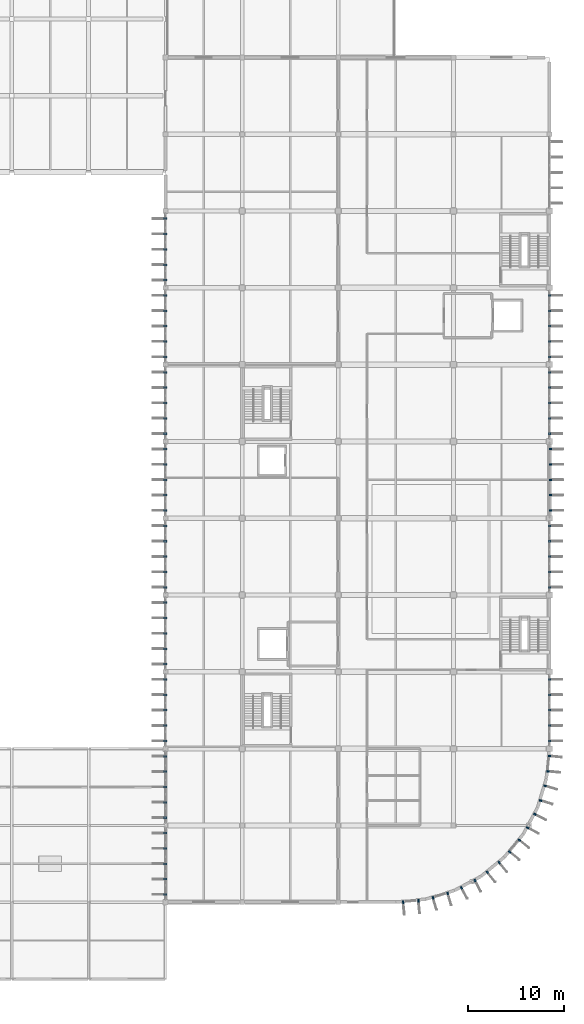
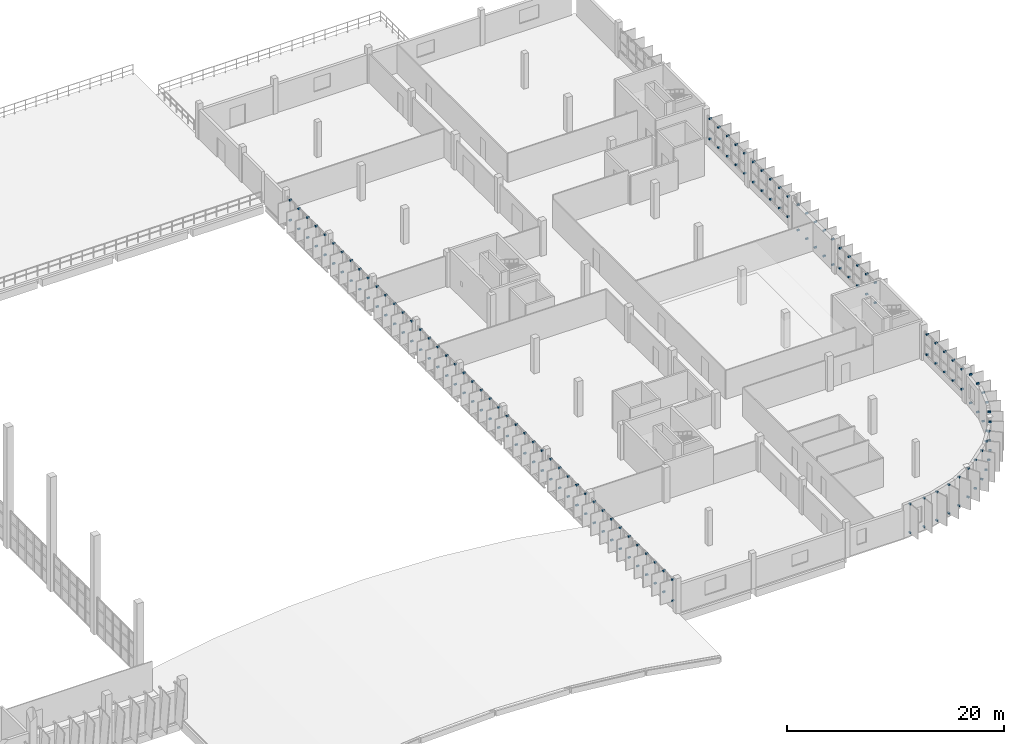
# One storey, part 59 of 66: 172 discrete accessories.
"""IFC4 building model written with IfcOpenShell, lengths in metres."""

from ifc_helpers import new_model, si_unit, direction, frame, origin, origin_2d, place, context, subcontext, project, spatial, rectangle, extrude, material, type_object, element, save


model = new_model("IFC4")

# Units and contexts
model_context = context("Model", 3, precision=1e-05, world=origin(), true_north=direction((0.0, 1.0)))
body_context = subcontext(model_context, "Body", "Model", "MODEL_VIEW")
ifc_project = project(units=[si_unit("LENGTHUNIT", "METRE"), si_unit("AREAUNIT", "SQUARE_METRE"), si_unit("VOLUMEUNIT", "CUBIC_METRE"), si_unit("PLANEANGLEUNIT", "RADIAN"), si_unit("MASSUNIT", "GRAM", prefix="KILO")], contexts=[model_context])

# Site, building, storey
site_placement = place(None, origin())
site = spatial("IfcSite", under=ifc_project, at=site_placement, CompositionType="ELEMENT")
building_placement = place(site_placement, origin())
building = spatial("IfcBuilding", under=site, at=building_placement, Name="Drelvana Railside Aquatics Centre", CompositionType="ELEMENT")
storey_placement = place(building_placement, frame((0.0, 0.0, 10.199951171875)))
storey = spatial("IfcBuildingStorey", under=building, at=storey_placement, Name="L02", CompositionType="ELEMENT", Elevation=10.199951171875)

# Discrete accessories
ifc_material = material(Name="Stainless steel 316 facade bracket", Category="steel")
discrete_accessory_type = type_object("IfcDiscreteAccessoryType", Name="ACC-BRACKET-FIN", PredefinedType="BRACKET", material=ifc_material)
for number, where, z_axis, x_axis, name in (
    (1, (143.989990234375, 8.800048828125, 0.76513671875), (0.0, 0.0, 1.0), (-1.0, 0.0, 0.0), "Shading fin bracket BK-1085"),
    (2, (143.989990234375, 8.800048828125, 3.125), (0.0, 0.0, 1.0), (-1.0, 0.0, 0.0), "Shading fin bracket BK-1086"),
    (3, (143.989990234375, 10.39990234375, 0.76513671875), (0.0, 0.0, 1.0), (-1.0, 0.0, 0.0), "Shading fin bracket BK-1087"),
    (4, (143.989990234375, 10.39990234375, 3.125), (0.0, 0.0, 1.0), (-1.0, 0.0, 0.0), "Shading fin bracket BK-1088"),
    (5, (143.989990234375, 12.0, 0.76513671875), (0.0, 0.0, 1.0), (-1.0, 0.0, 0.0), "Shading fin bracket BK-1089"),
    (6, (143.989990234375, 12.0, 3.125), (0.0, 0.0, 1.0), (-1.0, 0.0, 0.0), "Shading fin bracket BK-1090"),
    (7, (143.989990234375, 13.60009765625, 0.76513671875), (0.0, 0.0, 1.0), (-1.0, 0.0, 0.0), "Shading fin bracket BK-1091"),
    (8, (143.989990234375, 13.60009765625, 3.125), (0.0, 0.0, 1.0), (-1.0, 0.0, 0.0), "Shading fin bracket BK-1092"),
    (9, (143.989990234375, 15.199951171875, 0.76513671875), (0.0, 0.0, 1.0), (-1.0, 0.0, 0.0), "Shading fin bracket BK-1093"),
    (10, (143.989990234375, 15.199951171875, 3.125), (0.0, 0.0, 1.0), (-1.0, 0.0, 0.0), "Shading fin bracket BK-1094"),
    (11, (143.989990234375, 16.800048828125, 0.76513671875), (0.0, 0.0, 1.0), (-1.0, 0.0, 0.0), "Shading fin bracket BK-1095"),
    (12, (143.989990234375, 16.800048828125, 3.125), (0.0, 0.0, 1.0), (-1.0, 0.0, 0.0), "Shading fin bracket BK-1096"),
    (13, (143.989990234375, 18.39990234375, 0.76513671875), (0.0, 0.0, 1.0), (-1.0, 0.0, 0.0), "Shading fin bracket BK-1097"),
    (14, (143.989990234375, 18.39990234375, 3.125), (0.0, 0.0, 1.0), (-1.0, 0.0, 0.0), "Shading fin bracket BK-1098"),
    (15, (143.989990234375, 20.0, 0.76513671875), (0.0, 0.0, 1.0), (-1.0, 0.0, 0.0), "Shading fin bracket BK-1099"),
    (16, (143.989990234375, 20.0, 3.125), (0.0, 0.0, 1.0), (-1.0, 0.0, 0.0), "Shading fin bracket BK-1100"),
    (17, (143.989990234375, 21.60009765625, 0.76513671875), (0.0, 0.0, 1.0), (-1.0, 0.0, 0.0), "Shading fin bracket BK-1101"),
    (18, (143.989990234375, 21.60009765625, 3.125), (0.0, 0.0, 1.0), (-1.0, 0.0, 0.0), "Shading fin bracket BK-1102"),
    (19, (143.989990234375, 23.199951171875, 0.76513671875), (0.0, 0.0, 1.0), (-1.0, 0.0, 0.0), "Shading fin bracket BK-1103"),
    (20, (143.989990234375, 23.199951171875, 3.125), (0.0, 0.0, 1.0), (-1.0, 0.0, 0.0), "Shading fin bracket BK-1104"),
    (21, (143.989990234375, 24.800048828125, 0.81494140625), (0.0, 0.0, 1.0), (-1.0, 0.0, 0.0), "Shading fin bracket BK-1115"),
    (22, (143.989990234375, 24.800048828125, 3.0751953125), (0.0, 0.0, 1.0), (-1.0, 0.0, 0.0), "Shading fin bracket BK-1116"),
    (23, (143.989990234375, 26.39990234375, 0.81494140625), (0.0, 0.0, 1.0), (-1.0, 0.0, 0.0), "Shading fin bracket BK-1117"),
    (24, (143.989990234375, 26.39990234375, 3.0751953125), (0.0, 0.0, 1.0), (-1.0, 0.0, 0.0), "Shading fin bracket BK-1118"),
    (25, (143.989990234375, 28.0, 0.81494140625), (0.0, 0.0, 1.0), (-1.0, 0.0, 0.0), "Shading fin bracket BK-1119"),
    (26, (143.989990234375, 28.0, 3.0751953125), (0.0, 0.0, 1.0), (-1.0, 0.0, 0.0), "Shading fin bracket BK-1120"),
    (27, (143.989990234375, 29.60009765625, 0.81494140625), (0.0, 0.0, 1.0), (-1.0, 0.0, 0.0), "Shading fin bracket BK-1121"),
    (28, (143.989990234375, 29.60009765625, 3.0751953125), (0.0, 0.0, 1.0), (-1.0, 0.0, 0.0), "Shading fin bracket BK-1122"),
    (29, (143.989990234375, 31.199951171875, 0.81494140625), (0.0, 0.0, 1.0), (-1.0, 0.0, 0.0), "Shading fin bracket BK-1123"),
    (30, (143.989990234375, 31.199951171875, 3.0751953125), (0.0, 0.0, 1.0), (-1.0, 0.0, 0.0), "Shading fin bracket BK-1124"),
    (31, (143.989990234375, 32.800048828125, 0.81494140625), (0.0, 0.0, 1.0), (-1.0, 0.0, 0.0), "Shading fin bracket BK-1155"),
    (32, (143.989990234375, 32.800048828125, 3.0751953125), (0.0, 0.0, 1.0), (-1.0, 0.0, 0.0), "Shading fin bracket BK-1156"),
    (33, (143.989990234375, 34.39990234375, 0.81494140625), (0.0, 0.0, 1.0), (-1.0, 0.0, 0.0), "Shading fin bracket BK-1157"),
    (34, (143.989990234375, 34.39990234375, 3.0751953125), (0.0, 0.0, 1.0), (-1.0, 0.0, 0.0), "Shading fin bracket BK-1158"),
    (35, (143.989990234375, 36.0, 0.81494140625), (0.0, 0.0, 1.0), (-1.0, 0.0, 0.0), "Shading fin bracket BK-1159"),
    (36, (143.989990234375, 36.0, 3.0751953125), (0.0, 0.0, 1.0), (-1.0, 0.0, 0.0), "Shading fin bracket BK-1160"),
    (37, (143.989990234375, 37.60009765625, 0.81494140625), (0.0, 0.0, 1.0), (-1.0, 0.0, 0.0), "Shading fin bracket BK-1161"),
    (38, (143.989990234375, 37.60009765625, 3.0751953125), (0.0, 0.0, 1.0), (-1.0, 0.0, 0.0), "Shading fin bracket BK-1162"),
    (39, (143.989990234375, 39.199951171875, 0.81494140625), (0.0, 0.0, 1.0), (-1.0, 0.0, 0.0), "Shading fin bracket BK-1163"),
    (40, (143.989990234375, 39.199951171875, 3.0751953125), (0.0, 0.0, 1.0), (-1.0, 0.0, 0.0), "Shading fin bracket BK-1164"),
    (41, (143.989990234375, 40.800048828125, 0.81494140625), (0.0, 0.0, 1.0), (-1.0, 0.0, 0.0), "Shading fin bracket BK-1195"),
    (42, (143.989990234375, 40.800048828125, 3.0751953125), (0.0, 0.0, 1.0), (-1.0, 0.0, 0.0), "Shading fin bracket BK-1196"),
    (43, (143.989990234375, 42.39990234375, 0.81494140625), (0.0, 0.0, 1.0), (-1.0, 0.0, 0.0), "Shading fin bracket BK-1197"),
    (44, (143.989990234375, 42.39990234375, 3.0751953125), (0.0, 0.0, 1.0), (-1.0, 0.0, 0.0), "Shading fin bracket BK-1198"),
    (45, (143.989990234375, 44.0, 0.81494140625), (0.0, 0.0, 1.0), (-1.0, 0.0, 0.0), "Shading fin bracket BK-1199"),
    (46, (143.989990234375, 44.0, 3.0751953125), (0.0, 0.0, 1.0), (-1.0, 0.0, 0.0), "Shading fin bracket BK-1200"),
    (47, (143.989990234375, 45.60009765625, 0.81494140625), (0.0, 0.0, 1.0), (-1.0, 0.0, 0.0), "Shading fin bracket BK-1201"),
    (48, (143.989990234375, 45.60009765625, 3.0751953125), (0.0, 0.0, 1.0), (-1.0, 0.0, 0.0), "Shading fin bracket BK-1202"),
    (49, (143.989990234375, 47.199951171875, 0.81494140625), (0.0, 0.0, 1.0), (-1.0, 0.0, 0.0), "Shading fin bracket BK-1203"),
    (50, (143.989990234375, 47.199951171875, 3.0751953125), (0.0, 0.0, 1.0), (-1.0, 0.0, 0.0), "Shading fin bracket BK-1204"),
    (51, (143.989990234375, 48.800048828125, 0.81494140625), (0.0, 0.0, 1.0), (-1.0, 0.0, 0.0), "Shading fin bracket BK-1235"),
    (52, (143.989990234375, 48.800048828125, 3.0751953125), (0.0, 0.0, 1.0), (-1.0, 0.0, 0.0), "Shading fin bracket BK-1236"),
    (53, (143.989990234375, 50.39990234375, 0.81494140625), (0.0, 0.0, 1.0), (-1.0, 0.0, 0.0), "Shading fin bracket BK-1237"),
    (54, (143.989990234375, 50.39990234375, 3.0751953125), (0.0, 0.0, 1.0), (-1.0, 0.0, 0.0), "Shading fin bracket BK-1238"),
    (55, (143.989990234375, 52.0, 0.81494140625), (0.0, 0.0, 1.0), (-1.0, 0.0, 0.0), "Shading fin bracket BK-1239"),
    (56, (143.989990234375, 52.0, 3.0751953125), (0.0, 0.0, 1.0), (-1.0, 0.0, 0.0), "Shading fin bracket BK-1240"),
    (57, (143.989990234375, 53.60009765625, 0.81494140625), (0.0, 0.0, 1.0), (-1.0, 0.0, 0.0), "Shading fin bracket BK-1241"),
    (58, (143.989990234375, 53.60009765625, 3.0751953125), (0.0, 0.0, 1.0), (-1.0, 0.0, 0.0), "Shading fin bracket BK-1242"),
    (59, (143.989990234375, 55.199951171875, 0.81494140625), (0.0, 0.0, 1.0), (-1.0, 0.0, 0.0), "Shading fin bracket BK-1243"),
    (60, (143.989990234375, 55.199951171875, 3.0751953125), (0.0, 0.0, 1.0), (-1.0, 0.0, 0.0), "Shading fin bracket BK-1244"),
    (61, (143.989990234375, 56.800048828125, 0.81494140625), (0.0, 0.0, 1.0), (-1.0, 0.0, 0.0), "Shading fin bracket BK-1265"),
    (62, (143.989990234375, 56.800048828125, 3.0751953125), (0.0, 0.0, 1.0), (-1.0, 0.0, 0.0), "Shading fin bracket BK-1266"),
    (63, (143.989990234375, 58.39990234375, 0.81494140625), (0.0, 0.0, 1.0), (-1.0, 0.0, 0.0), "Shading fin bracket BK-1267"),
    (64, (143.989990234375, 58.39990234375, 3.0751953125), (0.0, 0.0, 1.0), (-1.0, 0.0, 0.0), "Shading fin bracket BK-1268"),
    (65, (143.989990234375, 60.0, 0.81494140625), (0.0, 0.0, 1.0), (-1.0, 0.0, 0.0), "Shading fin bracket BK-1269"),
    (66, (143.989990234375, 60.0, 3.0751953125), (0.0, 0.0, 1.0), (-1.0, 0.0, 0.0), "Shading fin bracket BK-1270"),
    (67, (143.989990234375, 61.60009765625, 0.81494140625), (0.0, 0.0, 1.0), (-1.0, 0.0, 0.0), "Shading fin bracket BK-1271"),
    (68, (143.989990234375, 61.60009765625, 3.0751953125), (0.0, 0.0, 1.0), (-1.0, 0.0, 0.0), "Shading fin bracket BK-1272"),
    (69, (143.989990234375, 63.199951171875, 0.81494140625), (0.0, 0.0, 1.0), (-1.0, 0.0, 0.0), "Shading fin bracket BK-1273"),
    (70, (143.989990234375, 63.199951171875, 3.0751953125), (0.0, 0.0, 1.0), (-1.0, 0.0, 0.0), "Shading fin bracket BK-1274"),
    (71, (143.989990234375, 64.800048828125, 0.81494140625), (0.0, 0.0, 1.0), (-1.0, 0.0, 0.0), "Shading fin bracket BK-1305"),
    (72, (143.989990234375, 64.800048828125, 3.0751953125), (0.0, 0.0, 1.0), (-1.0, 0.0, 0.0), "Shading fin bracket BK-1306"),
    (73, (143.989990234375, 66.39990234375, 0.81494140625), (0.0, 0.0, 1.0), (-1.0, 0.0, 0.0), "Shading fin bracket BK-1307"),
    (74, (143.989990234375, 66.39990234375, 3.0751953125), (0.0, 0.0, 1.0), (-1.0, 0.0, 0.0), "Shading fin bracket BK-1308"),
    (75, (143.989990234375, 68.0, 0.81494140625), (0.0, 0.0, 1.0), (-1.0, 0.0, 0.0), "Shading fin bracket BK-1309"),
    (76, (143.989990234375, 68.0, 3.0751953125), (0.0, 0.0, 1.0), (-1.0, 0.0, 0.0), "Shading fin bracket BK-1310"),
    (77, (143.989990234375, 69.60009765625, 0.81494140625), (0.0, 0.0, 1.0), (-1.0, 0.0, 0.0), "Shading fin bracket BK-1311"),
    (78, (143.989990234375, 69.60009765625, 3.0751953125), (0.0, 0.0, 1.0), (-1.0, 0.0, 0.0), "Shading fin bracket BK-1312"),
    (79, (143.989990234375, 71.199951171875, 0.81494140625), (0.0, 0.0, 1.0), (-1.0, 0.0, 0.0), "Shading fin bracket BK-1313"),
    (80, (143.989990234375, 71.199951171875, 3.0751953125), (0.0, 0.0, 1.0), (-1.0, 0.0, 0.0), "Shading fin bracket BK-1314"),
    (81, (143.989990234375, 72.800048828125, 0.81494140625), (0.0, 0.0, 1.0), (-1.0, 0.0, 0.0), "Shading fin bracket BK-1345"),
    (82, (143.989990234375, 72.800048828125, 3.0751953125), (0.0, 0.0, 1.0), (-1.0, 0.0, 0.0), "Shading fin bracket BK-1346"),
    (83, (143.989990234375, 74.39990234375, 0.81494140625), (0.0, 0.0, 1.0), (-1.0, 0.0, 0.0), "Shading fin bracket BK-1347"),
    (84, (143.989990234375, 74.39990234375, 3.0751953125), (0.0, 0.0, 1.0), (-1.0, 0.0, 0.0), "Shading fin bracket BK-1348"),
    (85, (143.989990234375, 76.0, 0.81494140625), (0.0, 0.0, 1.0), (-1.0, 0.0, 0.0), "Shading fin bracket BK-1349"),
    (86, (143.989990234375, 76.0, 3.0751953125), (0.0, 0.0, 1.0), (-1.0, 0.0, 0.0), "Shading fin bracket BK-1350"),
    (87, (143.989990234375, 77.60009765625, 0.81494140625), (0.0, 0.0, 1.0), (-1.0, 0.0, 0.0), "Shading fin bracket BK-1351"),
    (88, (143.989990234375, 77.60009765625, 3.0751953125), (0.0, 0.0, 1.0), (-1.0, 0.0, 0.0), "Shading fin bracket BK-1352"),
    (89, (143.989990234375, 79.199951171875, 0.81494140625), (0.0, 0.0, 1.0), (-1.0, 0.0, 0.0), "Shading fin bracket BK-1353"),
    (90, (143.989990234375, 79.199951171875, 3.0751953125), (0.0, 0.0, 1.0), (-1.0, 0.0, 0.0), "Shading fin bracket BK-1354"),
    (91, (184.010009765625, 24.800048828125, 0.81494140625), (0.0, 0.0, 1.0), (1.0, 0.0, 0.0), "Shading fin bracket BK-1385"),
    (92, (184.010009765625, 24.800048828125, 3.0751953125), (0.0, 0.0, 1.0), (1.0, 0.0, 0.0), "Shading fin bracket BK-1386"),
    (93, (184.010009765625, 26.39990234375, 0.81494140625), (0.0, 0.0, 1.0), (1.0, 0.0, 0.0), "Shading fin bracket BK-1387"),
    (94, (184.010009765625, 26.39990234375, 3.0751953125), (0.0, 0.0, 1.0), (1.0, 0.0, 0.0), "Shading fin bracket BK-1388"),
    (95, (184.010009765625, 28.0, 0.81494140625), (0.0, 0.0, 1.0), (1.0, 0.0, 0.0), "Shading fin bracket BK-1389"),
    (96, (184.010009765625, 28.0, 3.0751953125), (0.0, 0.0, 1.0), (1.0, 0.0, 0.0), "Shading fin bracket BK-1390"),
    (97, (184.010009765625, 29.60009765625, 0.81494140625), (0.0, 0.0, 1.0), (1.0, 0.0, 0.0), "Shading fin bracket BK-1391"),
    (98, (184.010009765625, 29.60009765625, 3.0751953125), (0.0, 0.0, 1.0), (1.0, 0.0, 0.0), "Shading fin bracket BK-1392"),
    (99, (184.010009765625, 31.199951171875, 0.81494140625), (0.0, 0.0, 1.0), (1.0, 0.0, 0.0), "Shading fin bracket BK-1393"),
    (100, (184.010009765625, 31.199951171875, 3.0751953125), (0.0, 0.0, 1.0), (1.0, 0.0, 0.0), "Shading fin bracket BK-1394"),
    (101, (184.010009765625, 40.800048828125, 0.81494140625), (0.0, 0.0, 1.0), (1.0, 0.0, 0.0), "Shading fin bracket BK-1435"),
    (102, (184.010009765625, 40.800048828125, 3.0751953125), (0.0, 0.0, 1.0), (1.0, 0.0, 0.0), "Shading fin bracket BK-1436"),
    (103, (184.010009765625, 42.39990234375, 0.81494140625), (0.0, 0.0, 1.0), (1.0, 0.0, 0.0), "Shading fin bracket BK-1437"),
    (104, (184.010009765625, 42.39990234375, 3.0751953125), (0.0, 0.0, 1.0), (1.0, 0.0, 0.0), "Shading fin bracket BK-1438"),
    (105, (184.010009765625, 44.0, 0.81494140625), (0.0, 0.0, 1.0), (1.0, 0.0, 0.0), "Shading fin bracket BK-1439"),
    (106, (184.010009765625, 44.0, 3.0751953125), (0.0, 0.0, 1.0), (1.0, 0.0, 0.0), "Shading fin bracket BK-1440"),
    (107, (184.010009765625, 45.60009765625, 0.81494140625), (0.0, 0.0, 1.0), (1.0, 0.0, 0.0), "Shading fin bracket BK-1441"),
    (108, (184.010009765625, 45.60009765625, 3.0751953125), (0.0, 0.0, 1.0), (1.0, 0.0, 0.0), "Shading fin bracket BK-1442"),
    (109, (184.010009765625, 47.199951171875, 0.81494140625), (0.0, 0.0, 1.0), (1.0, 0.0, 0.0), "Shading fin bracket BK-1443"),
    (110, (184.010009765625, 47.199951171875, 3.0751953125), (0.0, 0.0, 1.0), (1.0, 0.0, 0.0), "Shading fin bracket BK-1444"),
    (111, (184.114990234375, 48.800048828125, 0.21533203125), (0.0, 0.0, 1.0), (1.0, 0.0, 0.0), "Shading fin bracket BK-1485"),
    (112, (184.114990234375, 48.800048828125, 3.0751953125), (0.0, 0.0, 1.0), (1.0, 0.0, 0.0), "Shading fin bracket BK-1486"),
    (113, (184.114990234375, 50.39990234375, 0.21533203125), (0.0, 0.0, 1.0), (1.0, 0.0, 0.0), "Shading fin bracket BK-1487"),
    (114, (184.114990234375, 50.39990234375, 3.0751953125), (0.0, 0.0, 1.0), (1.0, 0.0, 0.0), "Shading fin bracket BK-1488"),
    (115, (184.114990234375, 52.0, 0.21533203125), (0.0, 0.0, 1.0), (1.0, 0.0, 0.0), "Shading fin bracket BK-1489"),
    (116, (184.114990234375, 52.0, 3.0751953125), (0.0, 0.0, 1.0), (1.0, 0.0, 0.0), "Shading fin bracket BK-1490"),
    (117, (184.114990234375, 53.60009765625, 0.21533203125), (0.0, 0.0, 1.0), (1.0, 0.0, 0.0), "Shading fin bracket BK-1491"),
    (118, (184.114990234375, 53.60009765625, 3.0751953125), (0.0, 0.0, 1.0), (1.0, 0.0, 0.0), "Shading fin bracket BK-1492"),
    (119, (184.114990234375, 55.199951171875, 0.21533203125), (0.0, 0.0, 1.0), (1.0, 0.0, 0.0), "Shading fin bracket BK-1493"),
    (120, (184.114990234375, 55.199951171875, 3.0751953125), (0.0, 0.0, 1.0), (1.0, 0.0, 0.0), "Shading fin bracket BK-1494"),
    (121, (184.010009765625, 56.800048828125, 0.81494140625), (0.0, 0.0, 1.0), (1.0, 0.0, 0.0), "Shading fin bracket BK-1535"),
    (122, (184.010009765625, 56.800048828125, 3.0751953125), (0.0, 0.0, 1.0), (1.0, 0.0, 0.0), "Shading fin bracket BK-1536"),
    (123, (184.010009765625, 58.39990234375, 0.81494140625), (0.0, 0.0, 1.0), (1.0, 0.0, 0.0), "Shading fin bracket BK-1537"),
    (124, (184.010009765625, 58.39990234375, 3.0751953125), (0.0, 0.0, 1.0), (1.0, 0.0, 0.0), "Shading fin bracket BK-1538"),
    (125, (184.010009765625, 60.0, 0.81494140625), (0.0, 0.0, 1.0), (1.0, 0.0, 0.0), "Shading fin bracket BK-1539"),
    (126, (184.010009765625, 60.0, 3.0751953125), (0.0, 0.0, 1.0), (1.0, 0.0, 0.0), "Shading fin bracket BK-1540"),
    (127, (184.010009765625, 61.60009765625, 0.81494140625), (0.0, 0.0, 1.0), (1.0, 0.0, 0.0), "Shading fin bracket BK-1541"),
    (128, (184.010009765625, 61.60009765625, 3.0751953125), (0.0, 0.0, 1.0), (1.0, 0.0, 0.0), "Shading fin bracket BK-1542"),
    (129, (184.010009765625, 63.199951171875, 0.81494140625), (0.0, 0.0, 1.0), (1.0, 0.0, 0.0), "Shading fin bracket BK-1543"),
    (130, (184.010009765625, 63.199951171875, 3.0751953125), (0.0, 0.0, 1.0), (1.0, 0.0, 0.0), "Shading fin bracket BK-1544"),
    (131, (184.010009765625, 64.800048828125, 0.81494140625), (0.0, 0.0, 1.0), (1.0, 0.0, 0.0), "Shading fin bracket BK-1585"),
    (132, (184.010009765625, 64.800048828125, 3.0751953125), (0.0, 0.0, 1.0), (1.0, 0.0, 0.0), "Shading fin bracket BK-1586"),
    (133, (184.010009765625, 66.39990234375, 0.81494140625), (0.0, 0.0, 1.0), (1.0, 0.0, 0.0), "Shading fin bracket BK-1587"),
    (134, (184.010009765625, 66.39990234375, 3.0751953125), (0.0, 0.0, 1.0), (1.0, 0.0, 0.0), "Shading fin bracket BK-1588"),
    (135, (184.010009765625, 68.0, 0.81494140625), (0.0, 0.0, 1.0), (1.0, 0.0, 0.0), "Shading fin bracket BK-1589"),
    (136, (184.010009765625, 68.0, 3.0751953125), (0.0, 0.0, 1.0), (1.0, 0.0, 0.0), "Shading fin bracket BK-1590"),
    (137, (184.010009765625, 69.60009765625, 0.81494140625), (0.0, 0.0, 1.0), (1.0, 0.0, 0.0), "Shading fin bracket BK-1591"),
    (138, (184.010009765625, 69.60009765625, 3.0751953125), (0.0, 0.0, 1.0), (1.0, 0.0, 0.0), "Shading fin bracket BK-1592"),
    (139, (184.010009765625, 71.199951171875, 0.81494140625), (0.0, 0.0, 1.0), (1.0, 0.0, 0.0), "Shading fin bracket BK-1593"),
    (140, (184.010009765625, 71.199951171875, 3.0751953125), (0.0, 0.0, 1.0), (1.0, 0.0, 0.0), "Shading fin bracket BK-1594"),
    (141, (168.77197265625, 8.000732421875, 0.21533203125), (0.0, 0.0, 1.0), (0.09801714033, -0.995184726672, 0.0), "Shading fin bracket BK-1663"),
    (142, (168.77197265625, 8.000732421875, 3.42529296875), (0.0, 0.0, 1.0), (0.09801714033, -0.995184726672, 0.0), "Shading fin bracket BK-1664"),
    (143, (170.3642578125, 8.157470703125, 0.21533203125), (0.0, 0.0, 1.0), (0.09801714033, -0.995184726672, 0.0), "Shading fin bracket BK-1665"),
    (144, (170.3642578125, 8.157470703125, 3.42529296875), (0.0, 0.0, 1.0), (0.09801714033, -0.995184726672, 0.0), "Shading fin bracket BK-1666"),
    (145, (171.87841796875, 8.458740234375, 0.21533203125), (0.0, 0.0, 1.0), (0.290284677254, -0.956940335732, 0.0), "Shading fin bracket BK-1675"),
    (146, (171.87841796875, 8.458740234375, 3.42529296875), (0.0, 0.0, 1.0), (0.290284677254, -0.956940335732, 0.0), "Shading fin bracket BK-1676"),
    (147, (173.409423828125, 8.923095703125, 0.21533203125), (0.0, 0.0, 1.0), (0.290284677254, -0.956940335732, 0.0), "Shading fin bracket BK-1677"),
    (148, (173.409423828125, 8.923095703125, 3.42529296875), (0.0, 0.0, 1.0), (0.290284677254, -0.956940335732, 0.0), "Shading fin bracket BK-1678"),
    (149, (174.835693359375, 9.513916015625, 0.21533203125), (0.0, 0.0, 1.0), (0.471396736826, -0.881921264348, 0.0), "Shading fin bracket BK-1687"),
    (150, (174.835693359375, 9.513916015625, 3.42529296875), (0.0, 0.0, 1.0), (0.471396736826, -0.881921264348, 0.0), "Shading fin bracket BK-1688"),
    (151, (176.246826171875, 10.268310546875, 0.21533203125), (0.0, 0.0, 1.0), (0.471396736826, -0.881921264348, 0.0), "Shading fin bracket BK-1689"),
    (152, (176.246826171875, 10.268310546875, 3.42529296875), (0.0, 0.0, 1.0), (0.471396736826, -0.881921264348, 0.0), "Shading fin bracket BK-1690"),
    (153, (177.530517578125, 11.1259765625, 0.21533203125), (0.0, 0.0, 1.0), (0.634393284164, -0.773010453363, 0.0), "Shading fin bracket BK-1699"),
    (154, (177.530517578125, 11.1259765625, 3.42529296875), (0.0, 0.0, 1.0), (0.634393284164, -0.773010453363, 0.0), "Shading fin bracket BK-1700"),
    (155, (178.767333984375, 12.140869140625, 0.21533203125), (0.0, 0.0, 1.0), (0.634393284164, -0.773010453363, 0.0), "Shading fin bracket BK-1701"),
    (156, (178.767333984375, 12.140869140625, 3.42529296875), (0.0, 0.0, 1.0), (0.634393284164, -0.773010453363, 0.0), "Shading fin bracket BK-1702"),
    (157, (179.859130859375, 13.232666015625, 0.21533203125), (0.0, 0.0, 1.0), (0.773010453363, -0.634393284164, 0.0), "Shading fin bracket BK-1711"),
    (158, (179.859130859375, 13.232666015625, 3.42529296875), (0.0, 0.0, 1.0), (0.773010453363, -0.634393284164, 0.0), "Shading fin bracket BK-1712"),
    (159, (180.8740234375, 14.469482421875, 0.21533203125), (0.0, 0.0, 1.0), (0.773010453363, -0.634393284164, 0.0), "Shading fin bracket BK-1713"),
    (160, (180.8740234375, 14.469482421875, 3.42529296875), (0.0, 0.0, 1.0), (0.773010453363, -0.634393284164, 0.0), "Shading fin bracket BK-1714"),
    (161, (181.731689453125, 15.753173828125, 0.21533203125), (0.0, 0.0, 1.0), (0.881921264348, -0.471396736826, 0.0), "Shading fin bracket BK-1723"),
    (162, (181.731689453125, 15.753173828125, 3.42529296875), (0.0, 0.0, 1.0), (0.881921264348, -0.471396736826, 0.0), "Shading fin bracket BK-1724"),
    (163, (182.486083984375, 17.164306640625, 0.21533203125), (0.0, 0.0, 1.0), (0.881921264348, -0.471396736826, 0.0), "Shading fin bracket BK-1725"),
    (164, (182.486083984375, 17.164306640625, 3.42529296875), (0.0, 0.0, 1.0), (0.881921264348, -0.471396736826, 0.0), "Shading fin bracket BK-1726"),
    (165, (183.076904296875, 18.590576171875, 0.21533203125), (0.0, 0.0, 1.0), (0.956940335732, -0.290284677254, 0.0), "Shading fin bracket BK-1735"),
    (166, (183.076904296875, 18.590576171875, 3.42529296875), (0.0, 0.0, 1.0), (0.956940335732, -0.290284677254, 0.0), "Shading fin bracket BK-1736"),
    (167, (183.541259765625, 20.12158203125, 0.21533203125), (0.0, 0.0, 1.0), (0.956940335732, -0.290284677254, 0.0), "Shading fin bracket BK-1737"),
    (168, (183.541259765625, 20.12158203125, 3.42529296875), (0.0, 0.0, 1.0), (0.956940335732, -0.290284677254, 0.0), "Shading fin bracket BK-1738"),
    (169, (183.842529296875, 21.6357421875, 0.21533203125), (0.0, 0.0, 1.0), (0.995184726672, -0.09801714033, 0.0), "Shading fin bracket BK-1747"),
    (170, (183.842529296875, 21.6357421875, 3.42529296875), (0.0, 0.0, 1.0), (0.995184726672, -0.09801714033, 0.0), "Shading fin bracket BK-1748"),
    (171, (183.999267578125, 23.22802734375, 0.21533203125), (0.0, 0.0, 1.0), (0.995184726672, -0.09801714033, 0.0), "Shading fin bracket BK-1749"),
    (172, (183.999267578125, 23.22802734375, 3.42529296875), (0.0, 0.0, 1.0), (0.995184726672, -0.09801714033, 0.0), "Shading fin bracket BK-1750"),
):
    element("IfcDiscreteAccessory", number, at=place(storey_placement, frame(where, z_axis=z_axis, x_axis=x_axis)), inside=storey, type_object=discrete_accessory_type, Name=name, PredefinedType="BRACKET", context=body_context, shape_type="SweptSolid", body=[
        extrude(rectangle(XDim=0.280029296875, YDim=0.159912109375, at=origin_2d()), origin(), (0.0, 0.0, 1.0), 0.159912109375),
    ])

save(model, "model.ifc")
